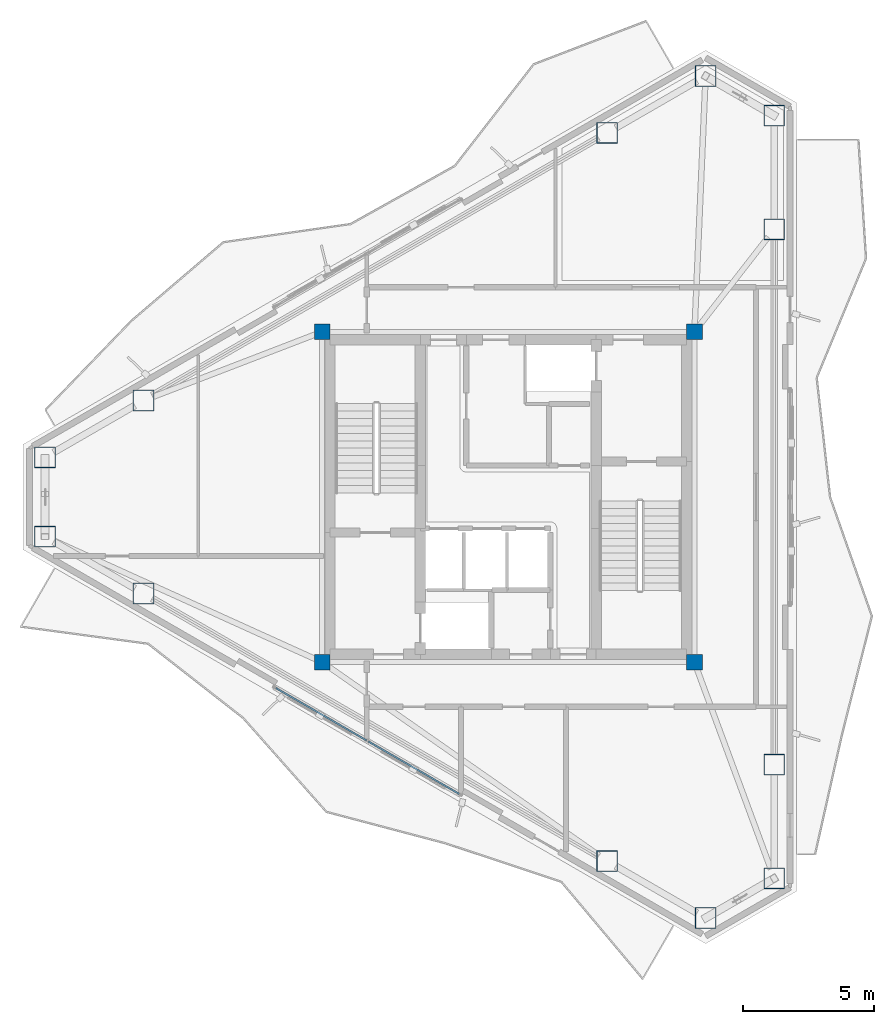
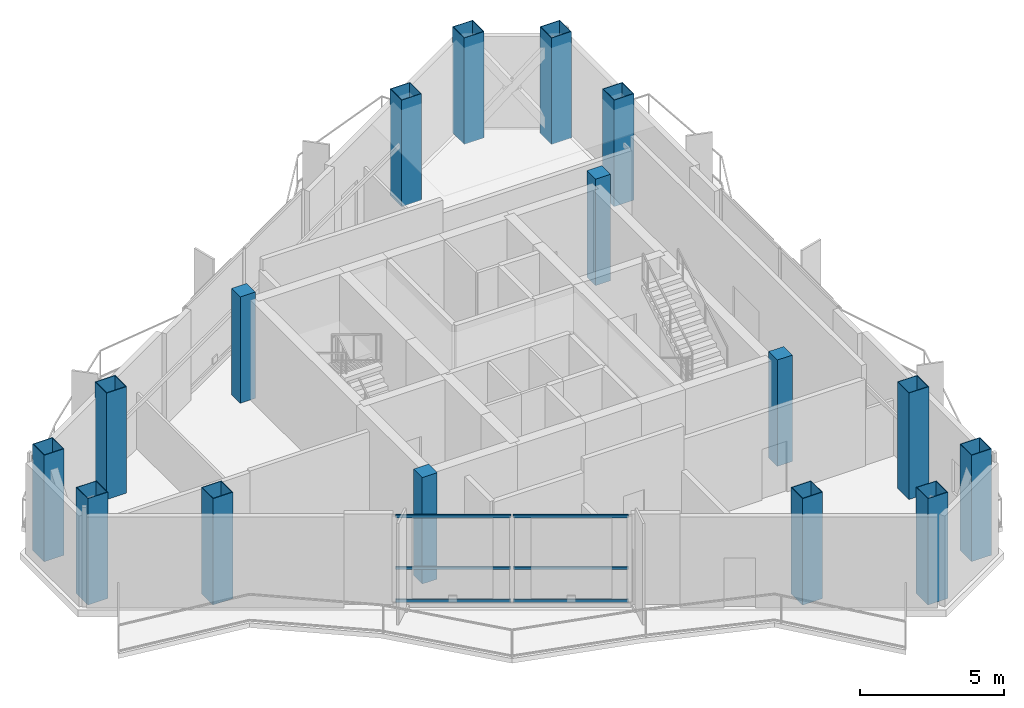
# One storey, part 1 of 14: 16 columns, 6 members, 1 element without a shape of its own.
"""IFC4 building model written with IfcOpenShell, lengths in metres."""

from ifc_helpers import new_model, si_unit, direction, frame, origin, origin_2d, place, context, subcontext, project, spatial, rectangle, hollow_rectangle, extrude, material, layer, layer_set, material_profile, profile_set, type_object, element, aggregate, save


model = new_model("IFC4")

# Units and contexts
model_context = context("Model", 3, precision=1e-05, world=origin(), true_north=direction((0.0, 1.0)))
body_context = subcontext(model_context, "Body", "Model", "MODEL_VIEW")
ifc_project = project(units=[si_unit("LENGTHUNIT", "METRE"), si_unit("AREAUNIT", "SQUARE_METRE"), si_unit("VOLUMEUNIT", "CUBIC_METRE"), si_unit("PLANEANGLEUNIT", "RADIAN"), si_unit("MASSUNIT", "GRAM", prefix="KILO")], contexts=[model_context])

# Site, building, storey
site_placement = place(None, origin())
site = spatial("IfcSite", under=ifc_project, at=site_placement, CompositionType="ELEMENT")
building_placement = place(site_placement, origin())
building = spatial("IfcBuilding", under=site, at=building_placement, Name="Mersakhor Tower and Convention Hall", CompositionType="ELEMENT")
storey_placement = place(building_placement, frame((0.0, 0.0, 249.60009765625)))
storey = spatial("IfcBuildingStorey", under=building, at=storey_placement, Name="L70", CompositionType="ELEMENT", Elevation=249.60009765625)

# Columns
ifc_material_1 = material(Name="Concrete C50/60 in S460M steel box", Category="concrete")
ifc_material_profile_1 = material_profile(ifc_material_1, hollow_rectangle(XDim=0.800048828125, YDim=0.800048828125, WallThickness=0.02490234375, at=origin_2d()), Name="SHS 800x800x25")
ifc_profile_set_1 = profile_set([ifc_material_profile_1], Name="Concrete C50/60 in S460M steel box")
column_type_1 = type_object("IfcColumnType", Name="COL-CFT-800", PredefinedType="COLUMN", material=ifc_profile_set_1)
for number, where, z_axis, x_axis, name in (
    (1, (11.33203125, 28.26123046875, 0.0), (0.0, 0.0, 1.0), (1.0, 0.0, 0.0), "L70 Perimeter Mega-Column MC-01"),
    (2, (15.085693359375, 30.428466796875, 0.0), (0.0, 0.0, 1.0), (1.0, 0.0, 0.0), "L70 Perimeter Mega-Column MC-02"),
    (3, (32.771484375, 40.639404296875, 0.0), (0.0, 0.0, 1.0), (1.0, 0.0, 0.0), "L70 Perimeter Mega-Column MC-03"),
    (4, (36.525146484375, 42.806640625, 0.0), (0.0, 0.0, 1.0), (1.0, 0.0, 0.0), "L70 Perimeter Mega-Column MC-04"),
    (5, (39.142822265625, 41.29541015625, 0.0), (0.0, 0.0, 1.0), (1.0, 0.0, 0.0), "L70 Perimeter Mega-Column MC-05"),
    (6, (39.142822265625, 36.960693359375, 0.0), (0.0, 0.0, 1.0), (1.0, 0.0, 0.0), "L70 Perimeter Mega-Column MC-06"),
    (7, (39.142822265625, 16.539306640625, 0.0), (0.0, 0.0, 1.0), (1.0, 0.0, 0.0), "L70 Perimeter Mega-Column MC-07"),
    (8, (39.142822265625, 12.20458984375, 0.0), (0.0, 0.0, 1.0), (1.0, 0.0, 0.0), "L70 Perimeter Mega-Column MC-08"),
    (9, (36.525146484375, 10.693359375, 0.0), (0.0, 0.0, 1.0), (1.0, 0.0, 0.0), "L70 Perimeter Mega-Column MC-09"),
    (10, (32.771484375, 12.860595703125, 0.0), (0.0, 0.0, 1.0), (1.0, 0.0, 0.0), "L70 Perimeter Mega-Column MC-10"),
    (11, (15.085693359375, 23.071533203125, 0.0), (0.0, 0.0, 1.0), (1.0, 0.0, 0.0), "L70 Perimeter Mega-Column MC-11"),
    (12, (11.33203125, 25.23876953125, 0.0), (0.0, 0.0, 1.0), (1.0, 0.0, 0.0), "L70 Perimeter Mega-Column MC-12"),
):
    element("IfcColumn", number, at=place(storey_placement, frame(where, z_axis=z_axis, x_axis=x_axis)), inside=storey, type_object=column_type_1, Name=name, PredefinedType="COLUMN", context=body_context, shape_type="SweptSolid", body=[
        extrude(hollow_rectangle(XDim=0.800048828125, YDim=0.800048828125, WallThickness=0.02490234375, at=origin_2d()), origin(), (0.0, 0.0, 1.0), 4.5),
    ])
ifc_material_2 = material(Name="Concrete C50/60", Category="concrete")
ifc_material_profile_2 = material_profile(ifc_material_2, rectangle(XDim=0.60009765625, YDim=0.60009765625, at=origin_2d()), Name="RC 600x600")
ifc_profile_set_2 = profile_set([ifc_material_profile_2], Name="Concrete C50/60")
column_type_2 = type_object("IfcColumnType", Name="COL-RC-600", PredefinedType="COLUMN", material=ifc_profile_set_2)
for number, where, z_axis, x_axis, name in (
    (13, (21.89990234375, 20.449951171875, 0.0), (0.0, 0.0, 1.0), (1.0, 0.0, 0.0), "L70 Core Corner Column CC-1"),
    (14, (21.89990234375, 33.050048828125, 0.0), (0.0, 0.0, 1.0), (1.0, 0.0, 0.0), "L70 Core Corner Column CC-2"),
    (15, (36.10009765625, 33.050048828125, 0.0), (0.0, 0.0, 1.0), (1.0, 0.0, 0.0), "L70 Core Corner Column CC-3"),
    (16, (36.10009765625, 20.449951171875, 0.0), (0.0, 0.0, 1.0), (1.0, 0.0, 0.0), "L70 Core Corner Column CC-4"),
):
    element("IfcColumn", number, at=place(storey_placement, frame(where, z_axis=z_axis, x_axis=x_axis)), inside=storey, type_object=column_type_2, Name=name, PredefinedType="COLUMN", context=body_context, shape_type="SweptSolid", body=[
        extrude(rectangle(XDim=0.60009765625, YDim=0.60009765625, at=origin_2d()), origin(), (0.0, 0.0, 1.0), 4.5),
    ])

# Curtain wall, members
ifc_material_3 = material(Name="Dark solar low-E aluminium curtain wall", Category="aluminium")
ifc_layer = layer(ifc_material_3, 0.2099609375)
ifc_layer_set = layer_set([ifc_layer], Name="Dark solar low-E aluminium curtain wall")
curtain_wall_type = type_object("IfcCurtainWallType", Name="CW-SYS-06", PredefinedType="USERDEFINED", material=ifc_layer_set)
curtain_wall_placement = place(storey_placement, origin())
curtain_wall = element("IfcCurtainWall", 17, at=curtain_wall_placement, inside=storey, type_object=curtain_wall_type, Name="L70 Dark-Glass Curtain Wall F3-B2", ObjectType="CURTAIN WALL", PredefinedType="USERDEFINED")
ifc_material_4 = material(Name="Anodised aluminium EN AW-6063 T6", Category="aluminium")
ifc_material_profile_3 = material_profile(ifc_material_4, hollow_rectangle(XDim=0.06005859375, YDim=0.1201171875, WallThickness=0.0048828125, at=origin_2d()), Name="RHS 120x60x5")
ifc_profile_set_3 = profile_set([ifc_material_profile_3], Name="Anodised aluminium EN AW-6063 T6")
member_type = type_object("IfcMemberType", Name="CWT-120x60", PredefinedType="USERDEFINED", material=ifc_profile_set_3)
member_1_placement = place(storey_placement, frame((27.1220703125, 15.429443359375, 0.22998046875), z_axis=(-0.866007437469, 0.50003111728, 0.0), x_axis=(-0.50003111728, -0.866007437469, 0.0)))
member_1 = element("IfcMember", 18, at=member_1_placement, type_object=member_type, Name="CW-06 transom 1.1", ObjectType="TRANSOM", PredefinedType="USERDEFINED", context=body_context, shape_type="SweptSolid", body=[
    extrude(hollow_rectangle(XDim=0.06005859375, YDim=0.1201171875, WallThickness=0.0048828125, at=origin_2d()), origin(), (0.0, 0.0, 1.0), 3.993896484375),
])
member_2_placement = place(storey_placement, frame((27.1220703125, 15.429443359375, 1.619873046875), z_axis=(-0.866007437469, 0.50003111728, 0.0), x_axis=(-0.50003111728, -0.866007437469, 0.0)))
member_2 = element("IfcMember", 19, at=member_2_placement, type_object=member_type, Name="CW-06 transom 1.2", ObjectType="TRANSOM", PredefinedType="USERDEFINED", context=body_context, shape_type="SweptSolid", body=[
    extrude(hollow_rectangle(XDim=0.06005859375, YDim=0.1201171875, WallThickness=0.0048828125, at=origin_2d()), origin(), (0.0, 0.0, 1.0), 3.993896484375),
])
member_3_placement = place(storey_placement, frame((27.1220703125, 15.429443359375, 3.809814453125), z_axis=(-0.866007437469, 0.50003111728, 0.0), x_axis=(-0.50003111728, -0.866007437469, 0.0)))
member_3 = element("IfcMember", 20, at=member_3_placement, type_object=member_type, Name="CW-06 transom 1.3", ObjectType="TRANSOM", PredefinedType="USERDEFINED", context=body_context, shape_type="SweptSolid", body=[
    extrude(hollow_rectangle(XDim=0.06005859375, YDim=0.1201171875, WallThickness=0.0048828125, at=origin_2d()), origin(), (0.0, 0.0, 1.0), 3.993896484375),
])
member_4_placement = place(storey_placement, frame((23.593994140625, 17.466552734375, 0.22998046875), z_axis=(-0.866033907579, 0.499985270706, 0.0), x_axis=(-0.499985270706, -0.866033907579, 0.0)))
member_4 = element("IfcMember", 21, at=member_4_placement, type_object=member_type, Name="CW-06 transom 2.1", ObjectType="TRANSOM", PredefinedType="USERDEFINED", context=body_context, shape_type="SweptSolid", body=[
    extrude(hollow_rectangle(XDim=0.06005859375, YDim=0.1201171875, WallThickness=0.0048828125, at=origin_2d()), origin(), (0.0, 0.0, 1.0), 3.99365234375),
])
member_5_placement = place(storey_placement, frame((23.593994140625, 17.466552734375, 1.619873046875), z_axis=(-0.866033907579, 0.499985270706, 0.0), x_axis=(-0.499985270706, -0.866033907579, 0.0)))
member_5 = element("IfcMember", 22, at=member_5_placement, type_object=member_type, Name="CW-06 transom 2.2", ObjectType="TRANSOM", PredefinedType="USERDEFINED", context=body_context, shape_type="SweptSolid", body=[
    extrude(hollow_rectangle(XDim=0.06005859375, YDim=0.1201171875, WallThickness=0.0048828125, at=origin_2d()), origin(), (0.0, 0.0, 1.0), 3.99365234375),
])
member_6_placement = place(storey_placement, frame((23.593994140625, 17.466552734375, 3.809814453125), z_axis=(-0.866033907579, 0.499985270706, 0.0), x_axis=(-0.499985270706, -0.866033907579, 0.0)))
member_6 = element("IfcMember", 23, at=member_6_placement, type_object=member_type, Name="CW-06 transom 2.3", ObjectType="TRANSOM", PredefinedType="USERDEFINED", context=body_context, shape_type="SweptSolid", body=[
    extrude(hollow_rectangle(XDim=0.06005859375, YDim=0.1201171875, WallThickness=0.0048828125, at=origin_2d()), origin(), (0.0, 0.0, 1.0), 3.99365234375),
])
aggregate(curtain_wall, [member_1, member_2, member_3, member_4, member_5, member_6])

save(model, "model.ifc")
